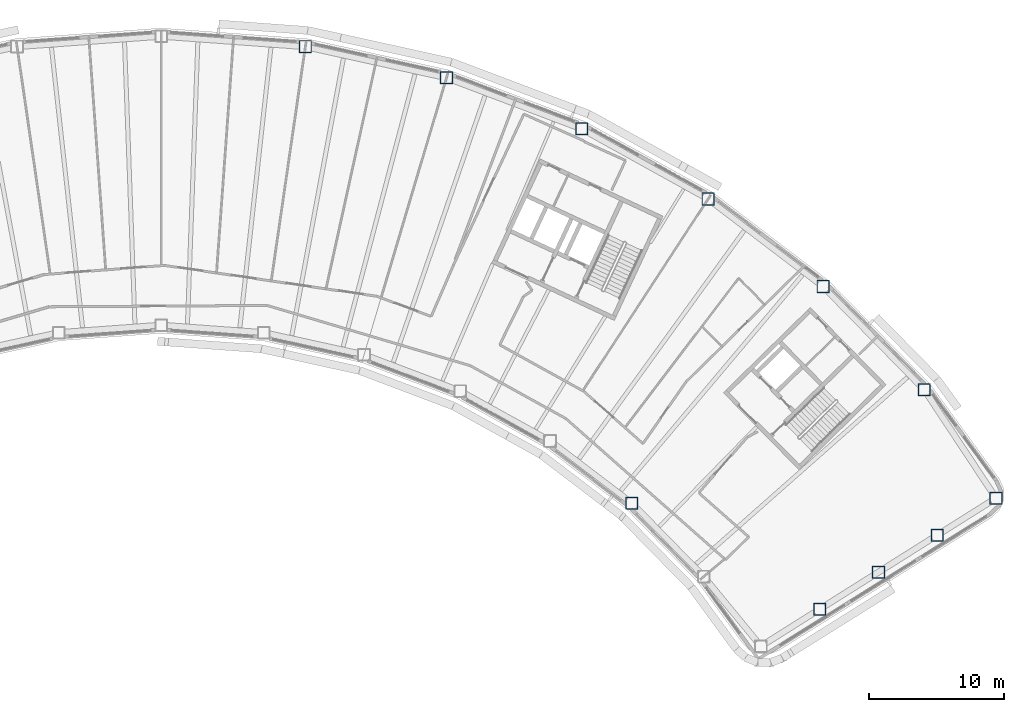
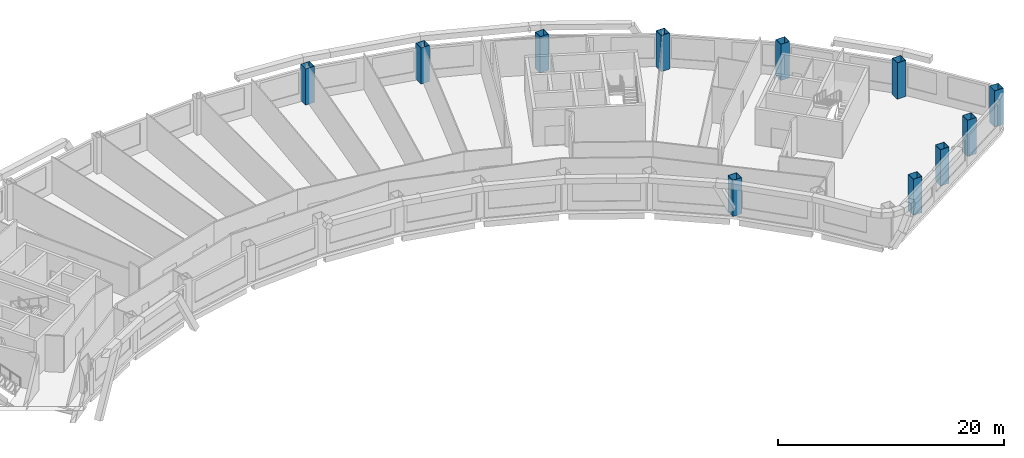
# One storey, part 2 of 16: 11 columns.
"""IFC4 building model written with IfcOpenShell, lengths in metres."""

from ifc_helpers import new_model, si_unit, direction, frame, origin, origin_2d, place, context, subcontext, project, spatial, hollow_rectangle, extrude, material, material_profile, profile_set, type_object, element, save


model = new_model("IFC4")

# Units and contexts
model_context = context("Model", 3, precision=1e-05, world=origin(), true_north=direction((0.0, 1.0)))
body_context = subcontext(model_context, "Body", "Model", "MODEL_VIEW")
ifc_project = project(units=[si_unit("LENGTHUNIT", "METRE"), si_unit("AREAUNIT", "SQUARE_METRE"), si_unit("VOLUMEUNIT", "CUBIC_METRE"), si_unit("PLANEANGLEUNIT", "RADIAN"), si_unit("MASSUNIT", "GRAM", prefix="KILO")], contexts=[model_context])

# Site, building, storey
site_placement = place(None, origin())
site = spatial("IfcSite", under=ifc_project, at=site_placement, CompositionType="ELEMENT")
building_placement = place(site_placement, origin())
building = spatial("IfcBuilding", under=site, at=building_placement, Name="Tuul Gate Civic Tower", CompositionType="ELEMENT")
storey_placement = place(building_placement, frame((0.0, 0.0, 184.699951171875)))
storey = spatial("IfcBuildingStorey", under=building, at=storey_placement, Name="Level 42", CompositionType="ELEMENT", Elevation=184.699951171875)

# Columns
ifc_material = material(Name="Steel S355", Category="steel")
ifc_material_profile = material_profile(ifc_material, hollow_rectangle(XDim=0.89990234375, YDim=0.89990234375, WallThickness=0.031982421875, at=origin_2d()), Name="BOX900x900x32")
ifc_profile_set = profile_set([ifc_material_profile], Name="Steel S355")
column_type = type_object("IfcColumnType", Name="STR-COLUMN-BOX900x900x32", PredefinedType="COLUMN", material=ifc_profile_set)
for number, where, z_axis, x_axis, name in (
    (1, (62.660888671875, -20.512939453125, 0.0), (0.0, 0.0, 1.0), (1.0, 0.0, 0.0), "Column"),
    (2, (57.362060546875, -12.5, 0.0), (0.0, 0.0, 1.0), (1.0, 0.0, 0.0), "Column"),
    (3, (49.886962890625, -4.875, 0.0), (0.0, 0.0, 1.0), (1.0, 0.0, 0.0), "Column"),
    (4, (41.39208984375, 1.593017578125, 0.0), (0.0, 0.0, 1.0), (1.0, 0.0, 0.0), "Column"),
    (5, (32.053955078125, 6.77001953125, 0.0), (0.0, 0.0, 1.0), (1.0, 0.0, 0.0), "Column"),
    (6, (22.06689453125, 10.5458984375, 0.0), (0.0, 0.0, 1.0), (1.0, 0.0, 0.0), "Column"),
    (7, (11.638916015625, 12.843994140625, 0.0), (0.0, 0.0, 1.0), (1.0, 0.0, 0.0), "Column"),
    (8, (35.757080078125, -20.886962890625, 0.0), (0.0, 0.0, 1.0), (1.0, 0.0, 0.0), "Column"),
    (9, (49.633056640625, -28.716064453125, 0.0), (0.0, 0.0, 1.0), (1.0, 0.0, 0.0), "Column"),
    (10, (53.97607421875, -25.98193359375, 0.0), (0.0, 0.0, 1.0), (1.0, 0.0, 0.0), "Column"),
    (11, (58.318115234375, -23.2470703125, 0.0), (0.0, 0.0, 1.0), (1.0, 0.0, 0.0), "Column"),
):
    element("IfcColumn", number, at=place(storey_placement, frame(where, z_axis=z_axis, x_axis=x_axis)), inside=storey, type_object=column_type, Name=name, PredefinedType="COLUMN", context=body_context, shape_type="SweptSolid", body=[
        extrude(hollow_rectangle(XDim=0.89990234375, YDim=0.89990234375, WallThickness=0.031982421875, at=origin_2d()), origin(), (0.0, 0.0, 1.0), 3.900146484375),
    ])

save(model, "model.ifc")
